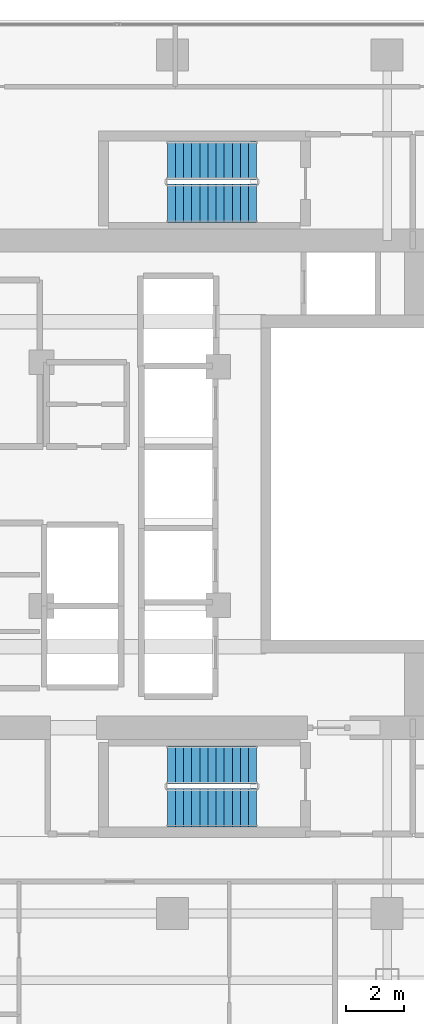
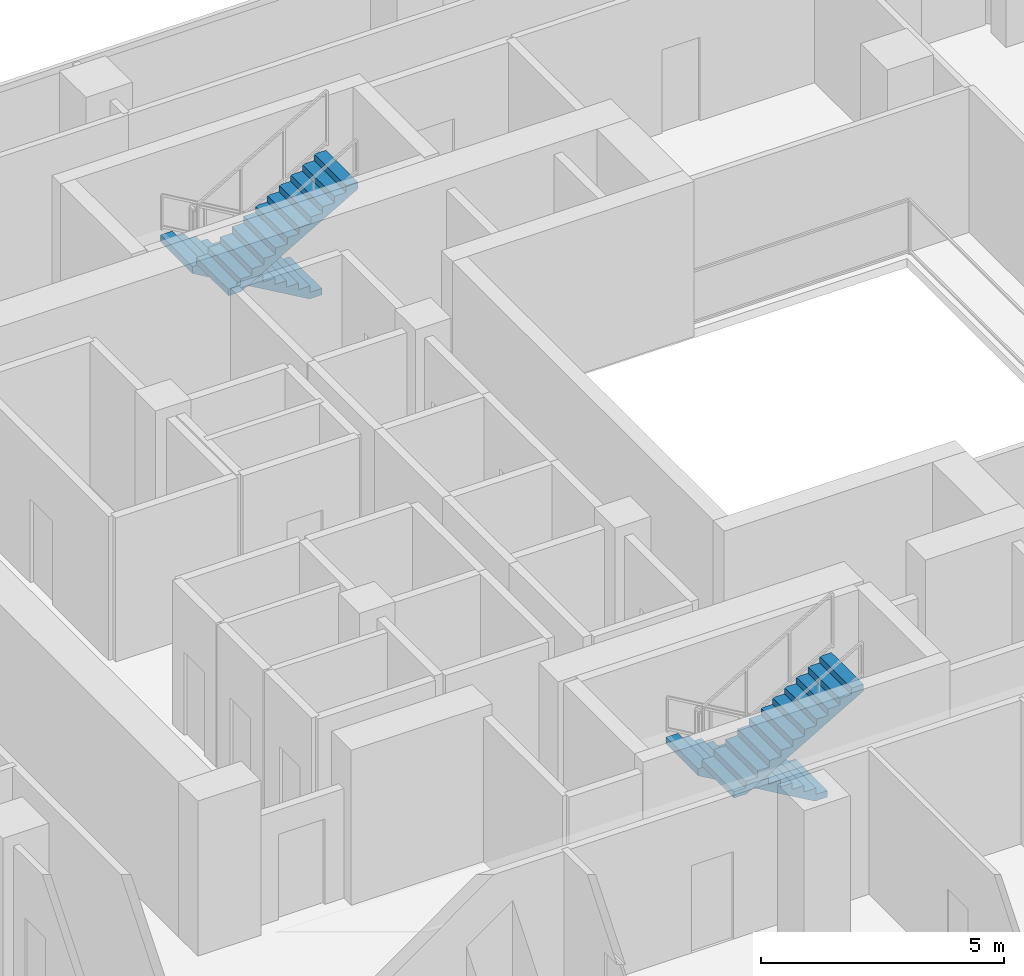
# One storey, part 21 of 24: 4 stair flights, 2 elements without a shape of their own.
"""IFC4 building model written with IfcOpenShell, lengths in metres."""

import ifcopenshell
import ifcopenshell.guid

model = None  # the IFC model being written
_history = None  # IfcOwnerHistory: only IFC2X3 demands one
_inside = {}  # id of a spatial element -> (the spatial element, [elements in it])
_under = {}  # id of a project, library or spatial element -> (it, [spatial elements below it])
_declared = {}  # id of a project -> (the project, [libraries it declares])
_typed = {}  # id of a type object -> (the type object, [elements of that type])
_made_of = {}  # id of a material, layer set ... -> (it, [elements and type objects made of it])


def new_model(schema):
    """Start an empty IFC model of exactly this schema.

    Asked for "IFC4X3", IfcOpenShell would pick the latest addendum, in which some entities
    have other attributes; the version numbers below select the first issue.
    IFC2X3 requires an IfcOwnerHistory on every rooted entity: one is made here for all.
    """
    global model, _history
    if schema == "IFC4X3":
        model = ifcopenshell.file(schema_version=(4, 3, 0, 0))
    else:
        model = ifcopenshell.file(schema=schema)
    _inside.clear()
    _under.clear()
    _declared.clear()
    _typed.clear()
    _made_of.clear()
    _history = None
    if model.schema == "IFC2X3":
        org = make("IfcOrganization", Name="unknown")
        user = make(
            "IfcPersonAndOrganization",
            ThePerson=make("IfcPerson", FamilyName="unknown"),
            TheOrganization=org,
        )
        app = make(
            "IfcApplication",
            ApplicationDeveloper=org,
            Version="unknown",
            ApplicationFullName="unknown",
            ApplicationIdentifier="unknown",
        )
        _history = make(
            "IfcOwnerHistory",
            OwningUser=user,
            OwningApplication=app,
            ChangeAction="ADDED",
            CreationDate=0,
        )
    return model


def make(cls, **values):
    """One entity of the class cls with the attributes given. An attribute that is None is left unset."""
    return model.create_entity(
        cls, **{name: value for name, value in values.items() if value is not None}
    )


def rooted(cls, **values):
    """An entity with a GlobalId (a new one), such as an element, a storey or a relation."""
    return make(cls, GlobalId=ifcopenshell.guid.new(), OwnerHistory=_history, **values)


def si_unit(unit_type, name, prefix=None):
    """IfcSIUnit, for example si_unit("LENGTHUNIT", "METRE", prefix="MILLI")."""
    return make("IfcSIUnit", UnitType=unit_type, Prefix=prefix, Name=name)


def assignment(units):
    """IfcUnitAssignment: the units of a project."""
    return None if units is None else make("IfcUnitAssignment", Units=units)


def point(xyz):
    """IfcCartesianPoint."""
    return None if xyz is None else make("IfcCartesianPoint", Coordinates=xyz)


def direction(xyz):
    """IfcDirection."""
    return None if xyz is None else make("IfcDirection", DirectionRatios=xyz)


def frame(location, z_axis=None, x_axis=None):
    """IfcAxis2Placement3D, a coordinate frame: its origin and axes. An axis left out is left unset."""
    return make(
        "IfcAxis2Placement3D",
        Location=point(location),
        Axis=direction(z_axis),
        RefDirection=direction(x_axis),
    )


def origin():
    """The frame at (0, 0, 0) with its axes left unset."""
    return frame((0.0, 0.0, 0.0))


def place(relative_to, where):
    """IfcLocalPlacement: puts the frame where relative to a parent placement (None: the world)."""
    return make(
        "IfcLocalPlacement", PlacementRelTo=relative_to, RelativePlacement=where
    )


def context(
    kind, dimensions, precision=None, world=None, true_north=None, identifier=None
):
    """IfcGeometricRepresentationContext, for example the 3D "Model" context."""
    return make(
        "IfcGeometricRepresentationContext",
        ContextIdentifier=identifier,
        ContextType=kind,
        CoordinateSpaceDimension=dimensions,
        Precision=precision,
        WorldCoordinateSystem=world,
        TrueNorth=true_north,
    )


def subcontext(parent, identifier, kind, view, scale=None):
    """IfcGeometricRepresentationSubContext, for example "Body" below "Model"."""
    return make(
        "IfcGeometricRepresentationSubContext",
        ContextIdentifier=identifier,
        ContextType=kind,
        ParentContext=parent,
        TargetScale=scale,
        TargetView=view,
    )


def project(units=None, contexts=None):
    """IfcProject with its units and contexts."""
    return rooted(
        "IfcProject",
        Name="project",
        RepresentationContexts=contexts,
        UnitsInContext=assignment(units),
    )


def spatial(cls, under=None, at=None, **own):
    """A site, building, storey or space (cls), placed at a placement, below another one or the project."""
    s = rooted(cls, ObjectPlacement=at, **own)
    if under is not None:
        _under.setdefault(under.id(), (under, []))[1].append(s)
    return s


def polyline(points):
    """IfcPolyline through the points."""
    return make("IfcPolyline", Points=[point(p) for p in points])


def outline(outer, holes=None, kind="AREA"):
    """IfcArbitraryClosedProfileDef: a profile drawn as a closed curve; with holes, ...WithVoids."""
    if holes is None:
        return make("IfcArbitraryClosedProfileDef", ProfileType=kind, OuterCurve=outer)
    return make(
        "IfcArbitraryProfileDefWithVoids",
        ProfileType=kind,
        OuterCurve=outer,
        InnerCurves=holes,
    )


def extrude(swept, where, along, depth):
    """IfcExtrudedAreaSolid: the profile swept, set in the frame where, extruded along a direction by depth."""
    return make(
        "IfcExtrudedAreaSolid",
        SweptArea=swept,
        Position=where,
        ExtrudedDirection=direction(along),
        Depth=depth,
    )


def shape(context_of_items, identifier, shape_type, items):
    """IfcShapeRepresentation: the items that make up one representation, for example the "Body"."""
    return make(
        "IfcShapeRepresentation",
        ContextOfItems=context_of_items,
        RepresentationIdentifier=identifier,
        RepresentationType=shape_type,
        Items=items,
    )


def material(Name=None, Category=None):
    """IfcMaterial."""
    return make("IfcMaterial", Name=Name, Category=Category)


def made_of(thing, what):
    """Note that an element or type object is made of a material, layer set ...; save() writes the relation."""
    if what is not None:
        _made_of.setdefault(what.id(), (what, []))[1].append(thing)
    return thing


def type_object(cls, material=None, **own):
    """A type object (cls), such as IfcWallType, which elements share."""
    return made_of(rooted(cls, **own), material)


def element(
    cls,
    number,
    at=None,
    inside=None,
    cuts=None,
    type_object=None,
    material=None,
    context=None,
    identifier="Body",
    shape_type=None,
    held_by="IfcProductDefinitionShape",
    body=None,
    shapes=None,
    **own,
):
    """One element of the class cls, such as IfcWall. Its Tag is "e" and its number.

    at: its placement. inside: the storey or other place that contains it. cuts: it is an
    opening in that element (IfcRelVoidsElement). A single representation is given by context,
    identifier, shape_type and body (its items); several are given by shapes. held_by: the class
    of the entity that holds the representations. save() writes the other relations.
    """
    e = rooted(cls, Tag="e%d" % number, ObjectPlacement=at, **own)
    if body is not None:
        shapes = [shape(context, identifier, shape_type, body)]
    if shapes is not None:
        e.Representation = make(held_by, Representations=shapes)
    if inside is not None:
        _inside.setdefault(inside.id(), (inside, []))[1].append(e)
    if cuts is not None:
        rooted(
            "IfcRelVoidsElement", RelatingBuildingElement=cuts, RelatedOpeningElement=e
        )
    if type_object is not None:
        _typed.setdefault(type_object.id(), (type_object, []))[1].append(e)
    return made_of(e, material)


def aggregate(whole, parts):
    """IfcRelAggregates: a whole, such as a stair, and the parts it consists of."""
    return rooted("IfcRelAggregates", RelatingObject=whole, RelatedObjects=parts)


def save(model, path):
    """Write the relations noted so far, then the file.

    IfcRelAggregates (storeys below a building ...), IfcRelContainedInSpatialStructure (elements
    in a storey), IfcRelDefinesByType, IfcRelAssociatesMaterial and IfcRelDeclares: one each for
    every whole, place, type object, material and project.
    """
    for whole, parts in _under.values():
        aggregate(whole, parts)
    for where, things in _inside.values():
        rooted(
            "IfcRelContainedInSpatialStructure",
            RelatedElements=things,
            RelatingStructure=where,
        )
    for kind, things in _typed.values():
        rooted("IfcRelDefinesByType", RelatedObjects=things, RelatingType=kind)
    for what, things in _made_of.values():
        rooted("IfcRelAssociatesMaterial", RelatedObjects=things, RelatingMaterial=what)
    for by, libraries in _declared.values():
        rooted("IfcRelDeclares", RelatingContext=by, RelatedDefinitions=libraries)
    model.write(path)


model = new_model("IFC4")

# Units and contexts
model_context = context("Model", 3, precision=1e-05, world=origin(), true_north=direction((0.0, 1.0)))
body_context = subcontext(model_context, "Body", "Model", "MODEL_VIEW")
ifc_project = project(units=[si_unit("LENGTHUNIT", "METRE"), si_unit("AREAUNIT", "SQUARE_METRE"), si_unit("VOLUMEUNIT", "CUBIC_METRE"), si_unit("PLANEANGLEUNIT", "RADIAN"), si_unit("MASSUNIT", "GRAM", prefix="KILO")], contexts=[model_context])

# Site, building, storey
site_placement = place(None, origin())
site = spatial("IfcSite", under=ifc_project, at=site_placement, CompositionType="ELEMENT")
building_placement = place(site_placement, origin())
building = spatial("IfcBuilding", under=site, at=building_placement, Name="Khorvyn Point Tower", CompositionType="ELEMENT")
storey_placement = place(building_placement, frame((0.0, 0.0, 215.699951171875)))
storey = spatial("IfcBuildingStorey", under=building, at=storey_placement, Name="L53", CompositionType="ELEMENT", Elevation=215.699951171875)

# Stair, stair flights
ifc_material = material(Name="Concrete C40/50", Category="concrete")
stair_type = type_object("IfcStairType", Name="Tower Concrete C40/50 Dogleg Exit Stair", PredefinedType="HALF_TURN_STAIR", material=ifc_material)
stair_1_placement = place(storey_placement, origin())
stair_1 = element("IfcStair", 1, at=stair_1_placement, inside=storey, type_object=stair_type, Name="L53 Tower Smokeproof Exit Stair South", PredefinedType="HALF_TURN_STAIR")
stair_flight_type = type_object("IfcStairFlightType", Name="Tower Concrete C40/50 Stair Flight", PredefinedType="STRAIGHT", material=ifc_material)
stair_flight_1_placement = place(storey_placement, frame((2.89990234375, -9.679931640625, 0.0), z_axis=(0.0, 0.0, 1.0), x_axis=(-1.0, 0.0, 0.0)))
stair_flight_1 = element("IfcStairFlight", 2, at=stair_flight_1_placement, type_object=stair_flight_type, Name="ST-01 flight 1", NumberOfRisers=12, NumberOfTreads=11, PredefinedType="STRAIGHT", RiserHeight=0.1625, TreadLength=0.28, context=body_context, shape_type="SweptSolid", body=[
    extrude(outline(polyline([(0.0, 0.0), (0.0, 0.16259765625), (0.280029296875, 0.16259765625), (0.280029296875, 0.324951171875), (0.56005859375, 0.324951171875), (0.56005859375, 0.487548828125), (0.840087890625, 0.487548828125), (0.840087890625, 0.64990234375), (1.1201171875, 0.64990234375), (1.1201171875, 0.8125), (1.39990234375, 0.8125), (1.39990234375, 0.97509765625), (1.679931640625, 0.97509765625), (1.679931640625, 1.137451171875), (1.9599609375, 1.137451171875), (1.9599609375, 1.300048828125), (2.239990234375, 1.300048828125), (2.239990234375, 1.46240234375), (2.52001953125, 1.46240234375), (2.52001953125, 1.625), (2.800048828125, 1.625), (2.800048828125, 1.78759765625), (3.080078125, 1.78759765625), (3.080078125, 1.949951171875), (3.080078125, 1.6142578125), (0.298583984375, 0.0), (0.0, 0.0)])), frame((0.0, 0.66015625, 0.0), z_axis=(0.0, -1.0, 0.0), x_axis=(1.0, 0.0, 0.0)), (0.0, 0.0, 1.0), 1.320068359375),
])
stair_flight_2_placement = place(storey_placement, frame((-0.179931640625, -11.159912109375, 1.949951171875), z_axis=(0.0, 0.0, 1.0), x_axis=(1.0, 0.0, 0.0)))
stair_flight_2 = element("IfcStairFlight", 3, at=stair_flight_2_placement, type_object=stair_flight_type, Name="ST-01 flight 2", NumberOfRisers=12, NumberOfTreads=11, PredefinedType="STRAIGHT", RiserHeight=0.1625, TreadLength=0.28, context=body_context, shape_type="SweptSolid", body=[
    extrude(outline(polyline([(0.0, 0.0), (0.0, 0.16259765625), (0.280029296875, 0.16259765625), (0.280029296875, 0.324951171875), (0.56005859375, 0.324951171875), (0.56005859375, 0.487548828125), (0.840087890625, 0.487548828125), (0.840087890625, 0.64990234375), (1.1201171875, 0.64990234375), (1.1201171875, 0.8125), (1.39990234375, 0.8125), (1.39990234375, 0.97509765625), (1.679931640625, 0.97509765625), (1.679931640625, 1.137451171875), (1.9599609375, 1.137451171875), (1.9599609375, 1.300048828125), (2.239990234375, 1.300048828125), (2.239990234375, 1.46240234375), (2.52001953125, 1.46240234375), (2.52001953125, 1.625), (2.800048828125, 1.625), (2.800048828125, 1.78759765625), (3.080078125, 1.78759765625), (3.080078125, 1.949951171875), (3.080078125, 1.6142578125), (0.298583984375, 0.0), (0.0, 0.0)])), frame((0.0, 0.66015625, 0.0), z_axis=(0.0, -1.0, 0.0), x_axis=(1.0, 0.0, 0.0)), (0.0, 0.0, 1.0), 1.320068359375),
])
aggregate(stair_1, [stair_flight_1, stair_flight_2])

stair_2_placement = place(storey_placement, origin())
stair_2 = element("IfcStair", 4, at=stair_2_placement, inside=storey, type_object=stair_type, Name="L53 Tower Smokeproof Exit Stair North", PredefinedType="HALF_TURN_STAIR")
stair_flight_3_placement = place(storey_placement, frame((2.89990234375, 11.159912109375, 0.0), z_axis=(0.0, 0.0, 1.0), x_axis=(-1.0, 0.0, 0.0)))
stair_flight_3 = element("IfcStairFlight", 5, at=stair_flight_3_placement, type_object=stair_flight_type, Name="ST-02 flight 1", NumberOfRisers=12, NumberOfTreads=11, PredefinedType="STRAIGHT", RiserHeight=0.1625, TreadLength=0.28, context=body_context, shape_type="SweptSolid", body=[
    extrude(outline(polyline([(0.0, 0.0), (0.0, 0.16259765625), (0.280029296875, 0.16259765625), (0.280029296875, 0.324951171875), (0.56005859375, 0.324951171875), (0.56005859375, 0.487548828125), (0.840087890625, 0.487548828125), (0.840087890625, 0.64990234375), (1.1201171875, 0.64990234375), (1.1201171875, 0.8125), (1.39990234375, 0.8125), (1.39990234375, 0.97509765625), (1.679931640625, 0.97509765625), (1.679931640625, 1.137451171875), (1.9599609375, 1.137451171875), (1.9599609375, 1.300048828125), (2.239990234375, 1.300048828125), (2.239990234375, 1.46240234375), (2.52001953125, 1.46240234375), (2.52001953125, 1.625), (2.800048828125, 1.625), (2.800048828125, 1.78759765625), (3.080078125, 1.78759765625), (3.080078125, 1.949951171875), (3.080078125, 1.6142578125), (0.298583984375, 0.0), (0.0, 0.0)])), frame((0.0, 0.66015625, 0.0), z_axis=(0.0, -1.0, 0.0), x_axis=(1.0, 0.0, 0.0)), (0.0, 0.0, 1.0), 1.320068359375),
])
stair_flight_4_placement = place(storey_placement, frame((-0.179931640625, 9.679931640625, 1.949951171875), z_axis=(0.0, 0.0, 1.0), x_axis=(1.0, 0.0, 0.0)))
stair_flight_4 = element("IfcStairFlight", 6, at=stair_flight_4_placement, type_object=stair_flight_type, Name="ST-02 flight 2", NumberOfRisers=12, NumberOfTreads=11, PredefinedType="STRAIGHT", RiserHeight=0.1625, TreadLength=0.28, context=body_context, shape_type="SweptSolid", body=[
    extrude(outline(polyline([(0.0, 0.0), (0.0, 0.16259765625), (0.280029296875, 0.16259765625), (0.280029296875, 0.324951171875), (0.56005859375, 0.324951171875), (0.56005859375, 0.487548828125), (0.840087890625, 0.487548828125), (0.840087890625, 0.64990234375), (1.1201171875, 0.64990234375), (1.1201171875, 0.8125), (1.39990234375, 0.8125), (1.39990234375, 0.97509765625), (1.679931640625, 0.97509765625), (1.679931640625, 1.137451171875), (1.9599609375, 1.137451171875), (1.9599609375, 1.300048828125), (2.239990234375, 1.300048828125), (2.239990234375, 1.46240234375), (2.52001953125, 1.46240234375), (2.52001953125, 1.625), (2.800048828125, 1.625), (2.800048828125, 1.78759765625), (3.080078125, 1.78759765625), (3.080078125, 1.949951171875), (3.080078125, 1.6142578125), (0.298583984375, 0.0), (0.0, 0.0)])), frame((0.0, 0.66015625, 0.0), z_axis=(0.0, -1.0, 0.0), x_axis=(1.0, 0.0, 0.0)), (0.0, 0.0, 1.0), 1.320068359375),
])
aggregate(stair_2, [stair_flight_3, stair_flight_4])

save(model, "model.ifc")
